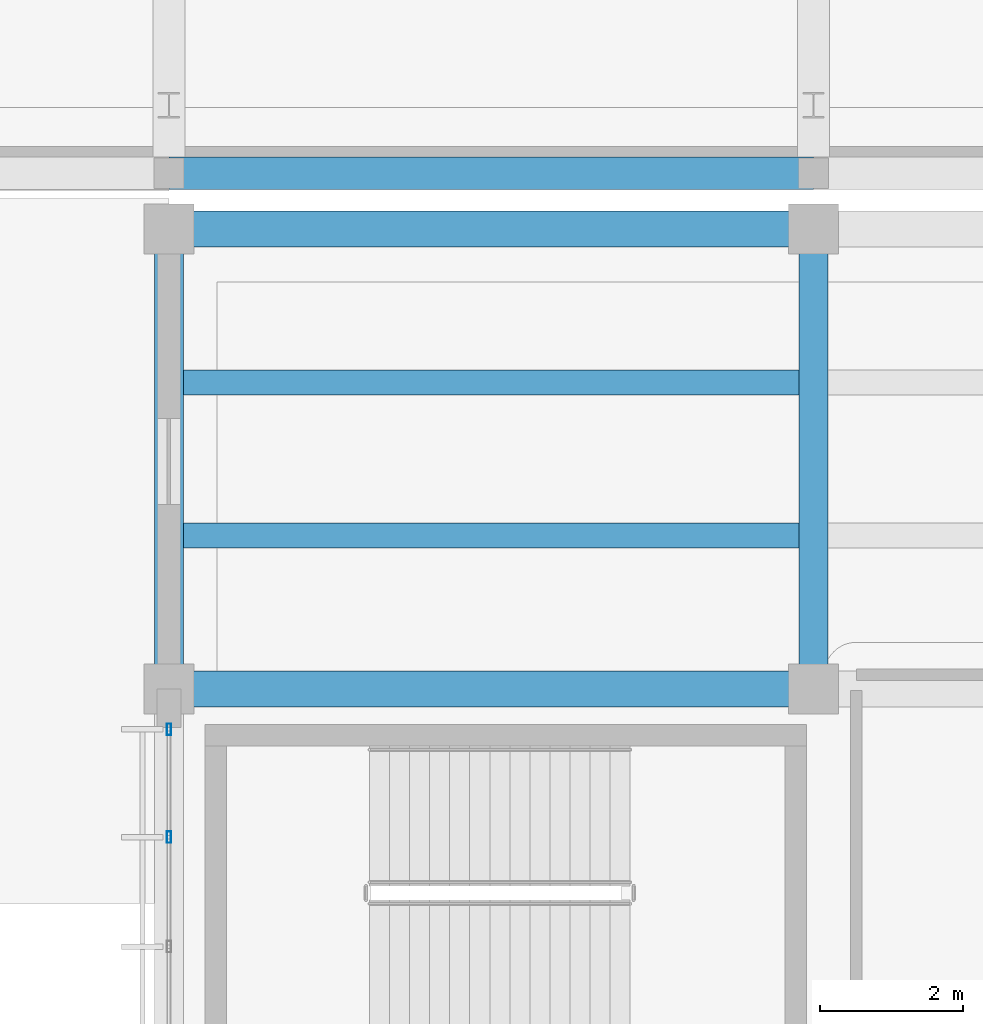
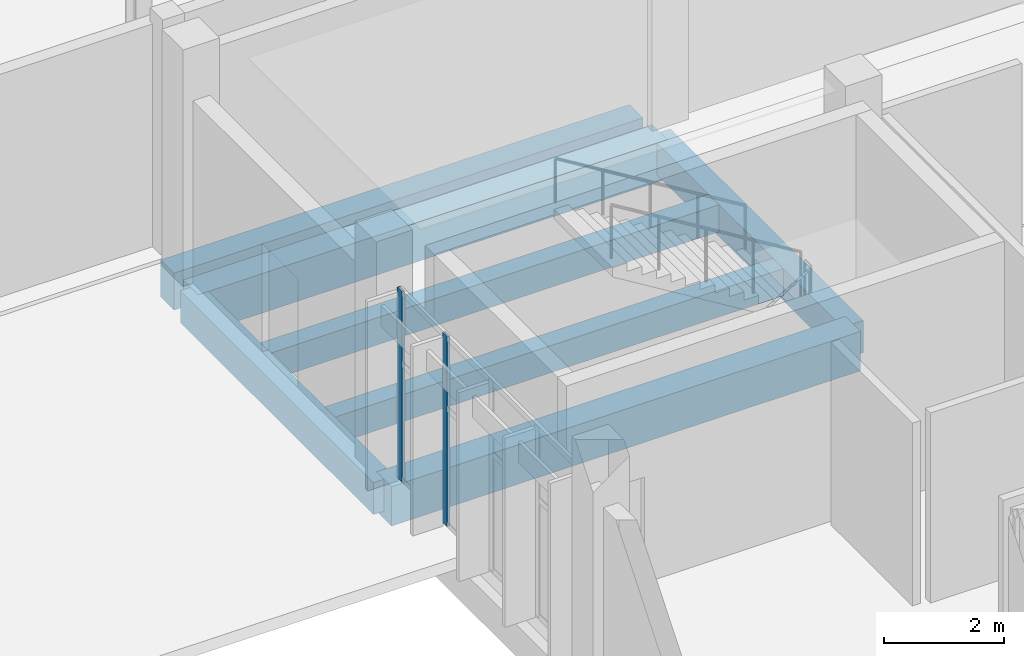
# One storey, part 79 of 151: 7 beams, 2 members, 1 element without a shape of its own.
"""IFC4 building model written with IfcOpenShell, lengths in metres."""

from ifc_helpers import new_model, si_unit, direction, frame, origin, origin_2d, place, context, subcontext, project, spatial, rectangle, hollow_rectangle, extrude, material, material_profile, profile_set, type_object, element, aggregate, save


model = new_model("IFC4")

# Units and contexts
model_context = context("Model", 3, precision=1e-05, world=origin(), true_north=direction((0.0, 1.0)))
body_context = subcontext(model_context, "Body", "Model", "MODEL_VIEW")
ifc_project = project(units=[si_unit("LENGTHUNIT", "METRE"), si_unit("AREAUNIT", "SQUARE_METRE"), si_unit("VOLUMEUNIT", "CUBIC_METRE"), si_unit("PLANEANGLEUNIT", "RADIAN"), si_unit("MASSUNIT", "GRAM", prefix="KILO")], contexts=[model_context])

# Site, building, storey
site_placement = place(None, origin())
site = spatial("IfcSite", under=ifc_project, at=site_placement, CompositionType="ELEMENT")
building_placement = place(site_placement, origin())
building = spatial("IfcBuilding", under=site, at=building_placement, Name="Chiffa Square Polytechnic", CompositionType="ELEMENT")
storey_placement = place(building_placement, origin())
storey = spatial("IfcBuildingStorey", under=building, at=storey_placement, Name="L00", CompositionType="ELEMENT", Elevation=0.0)

# Beams
ifc_material_1 = material(Name="Concrete C35/45", Category="concrete")
ifc_material_profile_1 = material_profile(ifc_material_1, rectangle(XDim=0.39990234375, YDim=0.64990234375, at=origin_2d()), Name="RC 400x650")
ifc_profile_set_1 = profile_set([ifc_material_profile_1], Name="Concrete C35/45")
beam_type_1 = type_object("IfcBeamType", Name="BM-RC-400X650", PredefinedType="BEAM", material=ifc_profile_set_1)
for number, where, z_axis, x_axis, name in (
    (1, (148.199951171875, 51.0, -0.675048828125), (0.0, 1.0, 0.0), (-1.0, 0.0, 0.0), "Primary floor girder BM-V1-L00-Y-1482-0510"),
    (2, (157.199951171875, 51.0, -0.675048828125), (0.0, 1.0, 0.0), (-1.0, 0.0, 0.0), "Primary floor girder BM-V1-L00-Y-1572-0510"),
):
    element("IfcBeam", number, at=place(storey_placement, frame(where, z_axis=z_axis, x_axis=x_axis)), inside=storey, type_object=beam_type_1, Name=name, PredefinedType="BEAM", context=body_context, shape_type="SweptSolid", body=[
        extrude(rectangle(XDim=0.39990234375, YDim=0.64990234375, at=origin_2d()), origin(), (0.0, 0.0, 1.0), 6.419921875),
    ])
ifc_material_2 = material(Name="Concrete C40/50", Category="concrete")
ifc_material_profile_2 = material_profile(ifc_material_2, rectangle(XDim=0.5, YDim=0.800048828125, at=origin_2d()), Name="RC 500x800")
ifc_profile_set_2 = profile_set([ifc_material_profile_2], Name="Concrete C40/50")
beam_type_2 = type_object("IfcBeamType", Name="BM-RC-500X800", PredefinedType="BEAM", material=ifc_profile_set_2)
for number, where, z_axis, x_axis, name in (
    (3, (148.199951171875, 51.0, -0.75), (1.0, 0.0, 0.0), (0.0, 1.0, 0.0), "Primary floor girder BM-V1-L00-X-1482-0510"),
    (4, (148.199951171875, 57.419921875, -0.75), (1.0, 0.0, 0.0), (0.0, 1.0, 0.0), "Primary floor girder BM-V1-L00-X-1482-0574"),
):
    element("IfcBeam", number, at=place(storey_placement, frame(where, z_axis=z_axis, x_axis=x_axis)), inside=storey, type_object=beam_type_2, Name=name, PredefinedType="BEAM", context=body_context, shape_type="SweptSolid", body=[
        extrude(rectangle(XDim=0.5, YDim=0.800048828125, at=origin_2d()), origin(), (0.0, 0.0, 1.0), 9.0),
    ])

# Curtain wall, members
ifc_material_3 = material(Name="Aluminium EN AW-6060 T66 and glulam shading", Category="wood")
curtain_wall_type = type_object("IfcCurtainWallType", Name="CW-VERT-360X380", PredefinedType="USERDEFINED", material=ifc_material_3)
curtain_wall_placement = place(storey_placement, origin())
curtain_wall = element("IfcCurtainWall", 5, at=curtain_wall_placement, inside=storey, type_object=curtain_wall_type, Name="Curtain wall CW-V1-L00-125", ObjectType="CURTAIN WALL", PredefinedType="USERDEFINED")
ifc_material_4 = material(Name="Aluminium EN AW-6060 T66", Category="aluminium")
ifc_material_profile_3 = material_profile(ifc_material_4, hollow_rectangle(XDim=0.06005859375, YDim=0.159912109375, WallThickness=0.00390625, at=origin_2d()), Name="ALU 60x160x4")
ifc_profile_set_3 = profile_set([ifc_material_profile_3], Name="Aluminium EN AW-6060 T66")
member_type = type_object("IfcMemberType", Name="CWM-ALU-65X150", PredefinedType="MULLION", material=ifc_profile_set_3)
member_1_placement = place(storey_placement, frame((148.199951171875, 50.43505859375, 0.0), z_axis=(0.0, 0.0, 1.0), x_axis=(1.0, 0.0, 0.0)))
member_1 = element("IfcMember", 6, at=member_1_placement, type_object=member_type, Name="Curtain wall mullion CW-V1-L00-125-M00", PredefinedType="MULLION", context=body_context, shape_type="SweptSolid", body=[
    extrude(hollow_rectangle(XDim=0.06005859375, YDim=0.159912109375, WallThickness=0.00390625, at=origin_2d()), origin(), (0.0, 0.0, 1.0), 3.85498046875),
])
member_2_placement = place(storey_placement, frame((148.199951171875, 48.929931640625, 0.0), z_axis=(0.0, 0.0, 1.0), x_axis=(1.0, 0.0, 0.0)))
member_2 = element("IfcMember", 7, at=member_2_placement, type_object=member_type, Name="Curtain wall mullion CW-V1-L00-125-M01", PredefinedType="MULLION", context=body_context, shape_type="SweptSolid", body=[
    extrude(hollow_rectangle(XDim=0.06005859375, YDim=0.159912109375, WallThickness=0.00390625, at=origin_2d()), origin(), (0.0, 0.0, 1.0), 3.85498046875),
])
aggregate(curtain_wall, [member_1, member_2])

# Beams
ifc_material_profile_4 = material_profile(ifc_material_1, rectangle(XDim=0.449951171875, YDim=0.75, at=origin_2d()), Name="RC 450x750")
ifc_profile_set_4 = profile_set([ifc_material_profile_4], Name="Concrete C35/45")
beam_type_3 = type_object("IfcBeamType", Name="GB-RC-450X750", PredefinedType="BEAM", material=ifc_profile_set_4)
beam_placement = place(storey_placement, frame((148.199951171875, 58.199951171875, -0.77490234375), z_axis=(1.0, 0.0, 0.0), x_axis=(0.0, 1.0, 0.0)))
element("IfcBeam", 8, at=beam_placement, inside=storey, type_object=beam_type_3, Name="Ground tie beam GB-V2-X-005", PredefinedType="BEAM", context=body_context, shape_type="SweptSolid", body=[
    extrude(rectangle(XDim=0.449951171875, YDim=0.75, at=origin_2d()), origin(), (0.0, 0.0, 1.0), 9.0),
])
ifc_material_profile_5 = material_profile(ifc_material_1, rectangle(XDim=0.35009765625, YDim=0.550048828125, at=origin_2d()), Name="RC 350x550")
ifc_profile_set_5 = profile_set([ifc_material_profile_5], Name="Concrete C35/45")
beam_type_4 = type_object("IfcBeamType", Name="JST-RC-350X550", PredefinedType="JOIST", material=ifc_profile_set_5)
for number, where, z_axis, x_axis, name in (
    (9, (148.39794921875, 53.139892578125, -0.625), (1.0, 0.0, 0.0), (0.0, 1.0, 0.0), "Secondary floor joist JST-V1-L00-1482-0531"),
    (10, (148.39794921875, 55.280029296875, -0.625), (1.0, 0.0, 0.0), (0.0, 1.0, 0.0), "Secondary floor joist JST-V1-L00-1482-0553"),
):
    element("IfcBeam", number, at=place(storey_placement, frame(where, z_axis=z_axis, x_axis=x_axis)), inside=storey, type_object=beam_type_4, Name=name, PredefinedType="JOIST", context=body_context, shape_type="SweptSolid", body=[
        extrude(rectangle(XDim=0.35009765625, YDim=0.550048828125, at=origin_2d()), origin(), (0.0, 0.0, 1.0), 8.60400390625),
    ])

save(model, "model.ifc")
